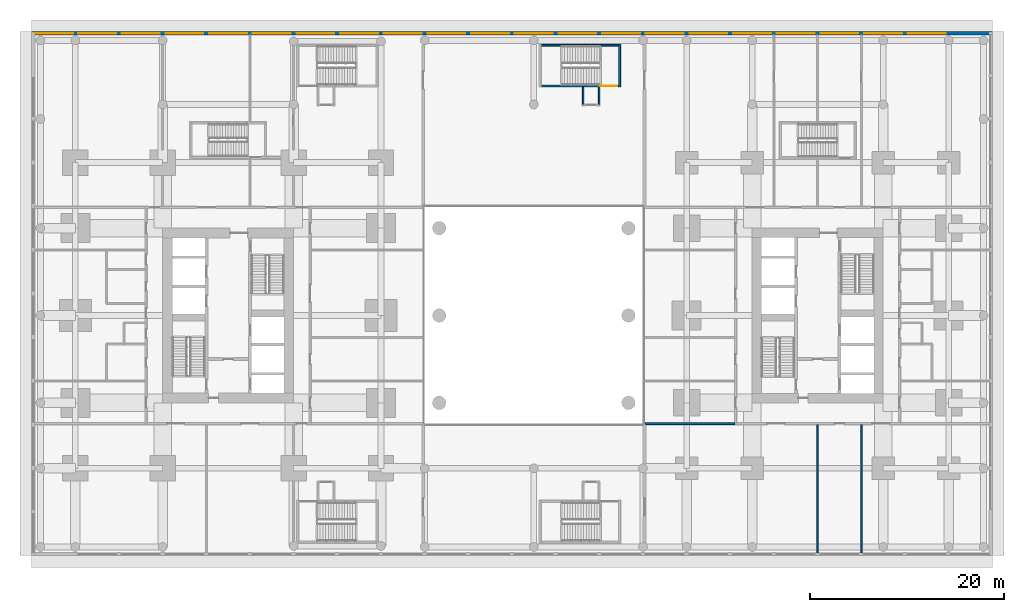
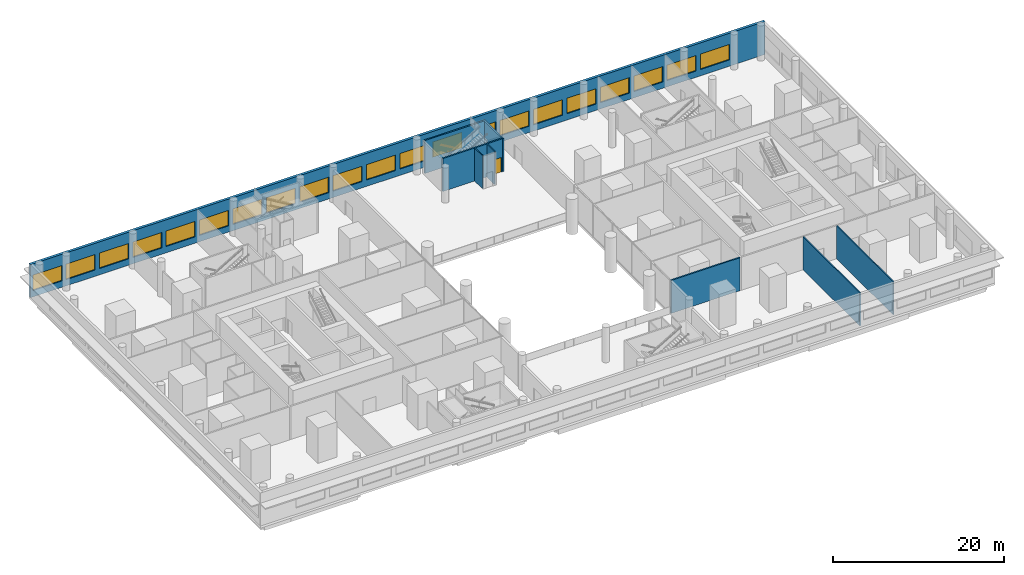
# One storey, part 14 of 22: 21 windows, 9 walls, 1 door, 22 openings.
"""IFC4 building model written with IfcOpenShell, lengths in metres."""

import ifcopenshell
import ifcopenshell.guid

model = None  # the IFC model being written
_history = None  # IfcOwnerHistory: only IFC2X3 demands one
_inside = {}  # id of a spatial element -> (the spatial element, [elements in it])
_under = {}  # id of a project, library or spatial element -> (it, [spatial elements below it])
_declared = {}  # id of a project -> (the project, [libraries it declares])
_typed = {}  # id of a type object -> (the type object, [elements of that type])
_made_of = {}  # id of a material, layer set ... -> (it, [elements and type objects made of it])


def new_model(schema):
    """Start an empty IFC model of exactly this schema.

    Asked for "IFC4X3", IfcOpenShell would pick the latest addendum, in which some entities
    have other attributes; the version numbers below select the first issue.
    IFC2X3 requires an IfcOwnerHistory on every rooted entity: one is made here for all.
    """
    global model, _history
    if schema == "IFC4X3":
        model = ifcopenshell.file(schema_version=(4, 3, 0, 0))
    else:
        model = ifcopenshell.file(schema=schema)
    _inside.clear()
    _under.clear()
    _declared.clear()
    _typed.clear()
    _made_of.clear()
    _history = None
    if model.schema == "IFC2X3":
        org = make("IfcOrganization", Name="unknown")
        user = make(
            "IfcPersonAndOrganization",
            ThePerson=make("IfcPerson", FamilyName="unknown"),
            TheOrganization=org,
        )
        app = make(
            "IfcApplication",
            ApplicationDeveloper=org,
            Version="unknown",
            ApplicationFullName="unknown",
            ApplicationIdentifier="unknown",
        )
        _history = make(
            "IfcOwnerHistory",
            OwningUser=user,
            OwningApplication=app,
            ChangeAction="ADDED",
            CreationDate=0,
        )
    return model


def make(cls, **values):
    """One entity of the class cls with the attributes given. An attribute that is None is left unset."""
    return model.create_entity(
        cls, **{name: value for name, value in values.items() if value is not None}
    )


def rooted(cls, **values):
    """An entity with a GlobalId (a new one), such as an element, a storey or a relation."""
    return make(cls, GlobalId=ifcopenshell.guid.new(), OwnerHistory=_history, **values)


def si_unit(unit_type, name, prefix=None):
    """IfcSIUnit, for example si_unit("LENGTHUNIT", "METRE", prefix="MILLI")."""
    return make("IfcSIUnit", UnitType=unit_type, Prefix=prefix, Name=name)


def assignment(units):
    """IfcUnitAssignment: the units of a project."""
    return None if units is None else make("IfcUnitAssignment", Units=units)


def point(xyz):
    """IfcCartesianPoint."""
    return None if xyz is None else make("IfcCartesianPoint", Coordinates=xyz)


def direction(xyz):
    """IfcDirection."""
    return None if xyz is None else make("IfcDirection", DirectionRatios=xyz)


def frame(location, z_axis=None, x_axis=None):
    """IfcAxis2Placement3D, a coordinate frame: its origin and axes. An axis left out is left unset."""
    return make(
        "IfcAxis2Placement3D",
        Location=point(location),
        Axis=direction(z_axis),
        RefDirection=direction(x_axis),
    )


def frame_2d(location, x_axis=None):
    """IfcAxis2Placement2D, a coordinate frame in the plane: its origin and x axis."""
    return make(
        "IfcAxis2Placement2D", Location=point(location), RefDirection=direction(x_axis)
    )


def origin():
    """The frame at (0, 0, 0) with its axes left unset."""
    return frame((0.0, 0.0, 0.0))


def place(relative_to, where):
    """IfcLocalPlacement: puts the frame where relative to a parent placement (None: the world)."""
    return make(
        "IfcLocalPlacement", PlacementRelTo=relative_to, RelativePlacement=where
    )


def context(
    kind, dimensions, precision=None, world=None, true_north=None, identifier=None
):
    """IfcGeometricRepresentationContext, for example the 3D "Model" context."""
    return make(
        "IfcGeometricRepresentationContext",
        ContextIdentifier=identifier,
        ContextType=kind,
        CoordinateSpaceDimension=dimensions,
        Precision=precision,
        WorldCoordinateSystem=world,
        TrueNorth=true_north,
    )


def subcontext(parent, identifier, kind, view, scale=None):
    """IfcGeometricRepresentationSubContext, for example "Body" below "Model"."""
    return make(
        "IfcGeometricRepresentationSubContext",
        ContextIdentifier=identifier,
        ContextType=kind,
        ParentContext=parent,
        TargetScale=scale,
        TargetView=view,
    )


def project(units=None, contexts=None):
    """IfcProject with its units and contexts."""
    return rooted(
        "IfcProject",
        Name="project",
        RepresentationContexts=contexts,
        UnitsInContext=assignment(units),
    )


def spatial(cls, under=None, at=None, **own):
    """A site, building, storey or space (cls), placed at a placement, below another one or the project."""
    s = rooted(cls, ObjectPlacement=at, **own)
    if under is not None:
        _under.setdefault(under.id(), (under, []))[1].append(s)
    return s


def profile(cls, at=None, kind="AREA", **sizes):
    """A parametric profile (cls). Its sizes go by their IFC names, for example OverallWidth=200.0."""
    return make(cls, ProfileType=kind, Position=at, **sizes)


def rectangle(**sizes):
    """IfcRectangleProfileDef."""
    return profile("IfcRectangleProfileDef", **sizes)


def extrude(swept, where, along, depth):
    """IfcExtrudedAreaSolid: the profile swept, set in the frame where, extruded along a direction by depth."""
    return make(
        "IfcExtrudedAreaSolid",
        SweptArea=swept,
        Position=where,
        ExtrudedDirection=direction(along),
        Depth=depth,
    )


def shape(context_of_items, identifier, shape_type, items):
    """IfcShapeRepresentation: the items that make up one representation, for example the "Body"."""
    return make(
        "IfcShapeRepresentation",
        ContextOfItems=context_of_items,
        RepresentationIdentifier=identifier,
        RepresentationType=shape_type,
        Items=items,
    )


def material(Name=None, Category=None):
    """IfcMaterial."""
    return make("IfcMaterial", Name=Name, Category=Category)


def layer(
    of_material, thickness, ventilated=None, Name=None, Category=None, Priority=None
):
    """IfcMaterialLayer: one layer of a wall or slab, of a material (None: an air gap)."""
    return make(
        "IfcMaterialLayer",
        Material=of_material,
        LayerThickness=thickness,
        IsVentilated=ventilated,
        Name=Name,
        Category=Category,
        Priority=Priority,
    )


def layer_set(layers, Name=None):
    """IfcMaterialLayerSet."""
    return make("IfcMaterialLayerSet", MaterialLayers=layers, LayerSetName=Name)


def made_of(thing, what):
    """Note that an element or type object is made of a material, layer set ...; save() writes the relation."""
    if what is not None:
        _made_of.setdefault(what.id(), (what, []))[1].append(thing)
    return thing


def type_object(cls, material=None, **own):
    """A type object (cls), such as IfcWallType, which elements share."""
    return made_of(rooted(cls, **own), material)


def element(
    cls,
    number,
    at=None,
    inside=None,
    cuts=None,
    type_object=None,
    material=None,
    context=None,
    identifier="Body",
    shape_type=None,
    held_by="IfcProductDefinitionShape",
    body=None,
    shapes=None,
    **own,
):
    """One element of the class cls, such as IfcWall. Its Tag is "e" and its number.

    at: its placement. inside: the storey or other place that contains it. cuts: it is an
    opening in that element (IfcRelVoidsElement). A single representation is given by context,
    identifier, shape_type and body (its items); several are given by shapes. held_by: the class
    of the entity that holds the representations. save() writes the other relations.
    """
    e = rooted(cls, Tag="e%d" % number, ObjectPlacement=at, **own)
    if body is not None:
        shapes = [shape(context, identifier, shape_type, body)]
    if shapes is not None:
        e.Representation = make(held_by, Representations=shapes)
    if inside is not None:
        _inside.setdefault(inside.id(), (inside, []))[1].append(e)
    if cuts is not None:
        rooted(
            "IfcRelVoidsElement", RelatingBuildingElement=cuts, RelatedOpeningElement=e
        )
    if type_object is not None:
        _typed.setdefault(type_object.id(), (type_object, []))[1].append(e)
    return made_of(e, material)


def fill(opening, filler):
    """IfcRelFillsElement: the door or window that sits in an opening."""
    return rooted(
        "IfcRelFillsElement",
        RelatingOpeningElement=opening,
        RelatedBuildingElement=filler,
    )


def aggregate(whole, parts):
    """IfcRelAggregates: a whole, such as a stair, and the parts it consists of."""
    return rooted("IfcRelAggregates", RelatingObject=whole, RelatedObjects=parts)


def save(model, path):
    """Write the relations noted so far, then the file.

    IfcRelAggregates (storeys below a building ...), IfcRelContainedInSpatialStructure (elements
    in a storey), IfcRelDefinesByType, IfcRelAssociatesMaterial and IfcRelDeclares: one each for
    every whole, place, type object, material and project.
    """
    for whole, parts in _under.values():
        aggregate(whole, parts)
    for where, things in _inside.values():
        rooted(
            "IfcRelContainedInSpatialStructure",
            RelatedElements=things,
            RelatingStructure=where,
        )
    for kind, things in _typed.values():
        rooted("IfcRelDefinesByType", RelatedObjects=things, RelatingType=kind)
    for what, things in _made_of.values():
        rooted("IfcRelAssociatesMaterial", RelatedObjects=things, RelatingMaterial=what)
    for by, libraries in _declared.values():
        rooted("IfcRelDeclares", RelatingContext=by, RelatedDefinitions=libraries)
    model.write(path)


model = new_model("IFC4")

# Units and contexts
model_context = context("Model", 3, precision=1e-05, world=origin(), true_north=direction((0.0, 1.0)))
body_context = subcontext(model_context, "Body", "Model", "MODEL_VIEW")
ifc_project = project(units=[si_unit("LENGTHUNIT", "METRE"), si_unit("AREAUNIT", "SQUARE_METRE"), si_unit("VOLUMEUNIT", "CUBIC_METRE"), si_unit("PLANEANGLEUNIT", "RADIAN"), si_unit("MASSUNIT", "GRAM", prefix="KILO")], contexts=[model_context])

# Site, building, storey
site_placement = place(None, origin())
site = spatial("IfcSite", under=ifc_project, at=site_placement, CompositionType="ELEMENT")
building_placement = place(site_placement, origin())
building = spatial("IfcBuilding", under=site, at=building_placement, Name="Namib Vertical Campus", CompositionType="ELEMENT")
storey_placement = place(building_placement, frame((0.0, 0.0, 11.0)))
storey = spatial("IfcBuildingStorey", under=building, at=storey_placement, Name="L02", CompositionType="ELEMENT", Elevation=11.0)

# Wall
ifc_material_1 = material(Name="Concrete masonry", Category="masonry")
ifc_layer_1 = layer(ifc_material_1, 0.199951171875)
ifc_layer_set_1 = layer_set([ifc_layer_1], Name="Corridor wall 200")
wall_type_1 = type_object("IfcWallType", Name="Corridor wall 200", PredefinedType="SOLIDWALL", material=ifc_layer_set_1)
wall_1_placement = place(storey_placement, frame((63.179931640625, 9.10009765625, 0.0), z_axis=(0.0, 0.0, 1.0), x_axis=(1.0, 0.0, 0.0)))
element("IfcWall", 1, at=wall_1_placement, inside=storey, type_object=wall_type_1, Name="Partition B L02 BSW", PredefinedType="SOLIDWALL", context=body_context, shape_type="SweptSolid", body=[
    extrude(rectangle(XDim=9.27001953125, YDim=0.199951171875, at=frame_2d((4.635009765625, 0.0))), origin(), (0.0, 0.0, 1.0), 4.699951171875),
])

# Wall, openings, windows
ifc_material_2 = material(Name="Concrete C40/50", Category="concrete")
ifc_layer_2 = layer(ifc_material_2, 0.35009765625)
ifc_layer_set_2 = layer_set([ifc_layer_2], Name="Concrete C40/50")
wall_type_2 = type_object("IfcWallType", Name="External wall 350 bush-hammered concrete", PredefinedType="STANDARD", material=ifc_layer_set_2)
wall_2_placement = place(storey_placement, frame((98.97998046875, 49.324951171875, 0.0), z_axis=(0.0, 0.0, 1.0), x_axis=(-1.0, 0.0, 0.0)))
wall_2 = element("IfcWall", 2, at=wall_2_placement, inside=storey, type_object=wall_type_2, Name="External wall L02 F3", PredefinedType="STANDARD", context=body_context, shape_type="SweptSolid", body=[
    extrude(rectangle(XDim=98.9599609375, YDim=0.35009765625, at=frame_2d((49.47998046875, 0.0))), origin(), (0.0, 0.0, 1.0), 4.699951171875),
])
opening_1_placement = place(wall_2_placement, frame((94.7099609375, 0.0, 0.89990234375)))
opening_1 = element("IfcOpeningElement", 3, at=opening_1_placement, cuts=wall_2, Name="Opening W1", PredefinedType="OPENING", context=body_context, shape_type="SweptSolid", body=[
    extrude(rectangle(XDim=3.89990234375, YDim=2.199951171875, at=frame_2d((1.949951171875, 1.10009765625))), frame((0.0, 0.18505859375, 0.0), z_axis=(0.0, -1.0, 0.0), x_axis=(1.0, 0.0, 0.0)), (0.0, 0.0, 1.0), 0.3701171875),
])
opening_2_placement = place(wall_2_placement, frame((90.280029296875, 0.0, 0.89990234375)))
opening_2 = element("IfcOpeningElement", 4, at=opening_2_placement, cuts=wall_2, Name="Opening W1", PredefinedType="OPENING", context=body_context, shape_type="SweptSolid", body=[
    extrude(rectangle(XDim=3.89990234375, YDim=2.199951171875, at=frame_2d((1.949951171875, 1.10009765625))), frame((0.0, 0.18505859375, 0.0), z_axis=(0.0, -1.0, 0.0), x_axis=(1.0, 0.0, 0.0)), (0.0, 0.0, 1.0), 0.3701171875),
])
opening_3_placement = place(wall_2_placement, frame((85.780029296875, 0.0, 0.89990234375)))
opening_3 = element("IfcOpeningElement", 5, at=opening_3_placement, cuts=wall_2, Name="Opening W1", PredefinedType="OPENING", context=body_context, shape_type="SweptSolid", body=[
    extrude(rectangle(XDim=3.89990234375, YDim=2.199951171875, at=frame_2d((1.949951171875, 1.10009765625))), frame((0.0, 0.18505859375, 0.0), z_axis=(0.0, -1.0, 0.0), x_axis=(1.0, 0.0, 0.0)), (0.0, 0.0, 1.0), 0.3701171875),
])
opening_4_placement = place(wall_2_placement, frame((81.280029296875, 0.0, 0.89990234375)))
opening_4 = element("IfcOpeningElement", 6, at=opening_4_placement, cuts=wall_2, Name="Opening W1", PredefinedType="OPENING", context=body_context, shape_type="SweptSolid", body=[
    extrude(rectangle(XDim=3.89990234375, YDim=2.199951171875, at=frame_2d((1.949951171875, 1.10009765625))), frame((0.0, 0.18505859375, 0.0), z_axis=(0.0, -1.0, 0.0), x_axis=(1.0, 0.0, 0.0)), (0.0, 0.0, 1.0), 0.3701171875),
])
opening_5_placement = place(wall_2_placement, frame((76.780029296875, 0.0, 0.89990234375)))
opening_5 = element("IfcOpeningElement", 7, at=opening_5_placement, cuts=wall_2, Name="Opening W1", PredefinedType="OPENING", context=body_context, shape_type="SweptSolid", body=[
    extrude(rectangle(XDim=3.89990234375, YDim=2.199951171875, at=frame_2d((1.949951171875, 1.10009765625))), frame((0.0, 0.18505859375, 0.0), z_axis=(0.0, -1.0, 0.0), x_axis=(1.0, 0.0, 0.0)), (0.0, 0.0, 1.0), 0.3701171875),
])
opening_6_placement = place(wall_2_placement, frame((72.280029296875, 0.0, 0.89990234375)))
opening_6 = element("IfcOpeningElement", 8, at=opening_6_placement, cuts=wall_2, Name="Opening W1", PredefinedType="OPENING", context=body_context, shape_type="SweptSolid", body=[
    extrude(rectangle(XDim=3.89990234375, YDim=2.199951171875, at=frame_2d((1.949951171875, 1.10009765625))), frame((0.0, 0.18505859375, 0.0), z_axis=(0.0, -1.0, 0.0), x_axis=(1.0, 0.0, 0.0)), (0.0, 0.0, 1.0), 0.3701171875),
])
opening_7_placement = place(wall_2_placement, frame((67.780029296875, 0.0, 0.89990234375)))
opening_7 = element("IfcOpeningElement", 9, at=opening_7_placement, cuts=wall_2, Name="Opening W1", PredefinedType="OPENING", context=body_context, shape_type="SweptSolid", body=[
    extrude(rectangle(XDim=3.89990234375, YDim=2.199951171875, at=frame_2d((1.949951171875, 1.10009765625))), frame((0.0, 0.18505859375, 0.0), z_axis=(0.0, -1.0, 0.0), x_axis=(1.0, 0.0, 0.0)), (0.0, 0.0, 1.0), 0.3701171875),
])
opening_8_placement = place(wall_2_placement, frame((63.280029296875, 0.0, 0.89990234375)))
opening_8 = element("IfcOpeningElement", 10, at=opening_8_placement, cuts=wall_2, Name="Opening W1", PredefinedType="OPENING", context=body_context, shape_type="SweptSolid", body=[
    extrude(rectangle(XDim=3.89990234375, YDim=2.199951171875, at=frame_2d((1.949951171875, 1.10009765625))), frame((0.0, 0.18505859375, 0.0), z_axis=(0.0, -1.0, 0.0), x_axis=(1.0, 0.0, 0.0)), (0.0, 0.0, 1.0), 0.3701171875),
])
opening_9_placement = place(wall_2_placement, frame((58.780029296875, 0.0, 0.89990234375)))
opening_9 = element("IfcOpeningElement", 11, at=opening_9_placement, cuts=wall_2, Name="Opening W1", PredefinedType="OPENING", context=body_context, shape_type="SweptSolid", body=[
    extrude(rectangle(XDim=3.89990234375, YDim=2.199951171875, at=frame_2d((1.949951171875, 1.10009765625))), frame((0.0, 0.18505859375, 0.0), z_axis=(0.0, -1.0, 0.0), x_axis=(1.0, 0.0, 0.0)), (0.0, 0.0, 1.0), 0.3701171875),
])
opening_10_placement = place(wall_2_placement, frame((54.280029296875, 0.0, 0.89990234375)))
opening_10 = element("IfcOpeningElement", 12, at=opening_10_placement, cuts=wall_2, Name="Opening W1", PredefinedType="OPENING", context=body_context, shape_type="SweptSolid", body=[
    extrude(rectangle(XDim=3.89990234375, YDim=2.199951171875, at=frame_2d((1.949951171875, 1.10009765625))), frame((0.0, 0.18505859375, 0.0), z_axis=(0.0, -1.0, 0.0), x_axis=(1.0, 0.0, 0.0)), (0.0, 0.0, 1.0), 0.3701171875),
])
opening_11_placement = place(wall_2_placement, frame((49.780029296875, 0.0, 0.89990234375)))
opening_11 = element("IfcOpeningElement", 13, at=opening_11_placement, cuts=wall_2, Name="Opening W1", PredefinedType="OPENING", context=body_context, shape_type="SweptSolid", body=[
    extrude(rectangle(XDim=3.89990234375, YDim=2.199951171875, at=frame_2d((1.949951171875, 1.10009765625))), frame((0.0, 0.18505859375, 0.0), z_axis=(0.0, -1.0, 0.0), x_axis=(1.0, 0.0, 0.0)), (0.0, 0.0, 1.0), 0.3701171875),
])
opening_12_placement = place(wall_2_placement, frame((45.280029296875, 0.0, 0.89990234375)))
opening_12 = element("IfcOpeningElement", 14, at=opening_12_placement, cuts=wall_2, Name="Opening W1", PredefinedType="OPENING", context=body_context, shape_type="SweptSolid", body=[
    extrude(rectangle(XDim=3.89990234375, YDim=2.199951171875, at=frame_2d((1.949951171875, 1.10009765625))), frame((0.0, 0.18505859375, 0.0), z_axis=(0.0, -1.0, 0.0), x_axis=(1.0, 0.0, 0.0)), (0.0, 0.0, 1.0), 0.3701171875),
])
opening_13_placement = place(wall_2_placement, frame((40.780029296875, 0.0, 0.89990234375)))
opening_13 = element("IfcOpeningElement", 15, at=opening_13_placement, cuts=wall_2, Name="Opening W1", PredefinedType="OPENING", context=body_context, shape_type="SweptSolid", body=[
    extrude(rectangle(XDim=3.89990234375, YDim=2.199951171875, at=frame_2d((1.949951171875, 1.10009765625))), frame((0.0, 0.18505859375, 0.0), z_axis=(0.0, -1.0, 0.0), x_axis=(1.0, 0.0, 0.0)), (0.0, 0.0, 1.0), 0.3701171875),
])
opening_14_placement = place(wall_2_placement, frame((36.280029296875, 0.0, 0.89990234375)))
opening_14 = element("IfcOpeningElement", 16, at=opening_14_placement, cuts=wall_2, Name="Opening W1", PredefinedType="OPENING", context=body_context, shape_type="SweptSolid", body=[
    extrude(rectangle(XDim=3.89990234375, YDim=2.199951171875, at=frame_2d((1.949951171875, 1.10009765625))), frame((0.0, 0.18505859375, 0.0), z_axis=(0.0, -1.0, 0.0), x_axis=(1.0, 0.0, 0.0)), (0.0, 0.0, 1.0), 0.3701171875),
])
opening_15_placement = place(wall_2_placement, frame((31.780029296875, 0.0, 0.89990234375)))
opening_15 = element("IfcOpeningElement", 17, at=opening_15_placement, cuts=wall_2, Name="Opening W1", PredefinedType="OPENING", context=body_context, shape_type="SweptSolid", body=[
    extrude(rectangle(XDim=3.89990234375, YDim=2.199951171875, at=frame_2d((1.949951171875, 1.10009765625))), frame((0.0, 0.18505859375, 0.0), z_axis=(0.0, -1.0, 0.0), x_axis=(1.0, 0.0, 0.0)), (0.0, 0.0, 1.0), 0.3701171875),
])
opening_16_placement = place(wall_2_placement, frame((27.280029296875, 0.0, 0.89990234375)))
opening_16 = element("IfcOpeningElement", 18, at=opening_16_placement, cuts=wall_2, Name="Opening W1", PredefinedType="OPENING", context=body_context, shape_type="SweptSolid", body=[
    extrude(rectangle(XDim=3.89990234375, YDim=2.199951171875, at=frame_2d((1.949951171875, 1.10009765625))), frame((0.0, 0.18505859375, 0.0), z_axis=(0.0, -1.0, 0.0), x_axis=(1.0, 0.0, 0.0)), (0.0, 0.0, 1.0), 0.3701171875),
])
opening_17_placement = place(wall_2_placement, frame((22.780029296875, 0.0, 0.89990234375)))
opening_17 = element("IfcOpeningElement", 19, at=opening_17_placement, cuts=wall_2, Name="Opening W1", PredefinedType="OPENING", context=body_context, shape_type="SweptSolid", body=[
    extrude(rectangle(XDim=3.89990234375, YDim=2.199951171875, at=frame_2d((1.949951171875, 1.10009765625))), frame((0.0, 0.18505859375, 0.0), z_axis=(0.0, -1.0, 0.0), x_axis=(1.0, 0.0, 0.0)), (0.0, 0.0, 1.0), 0.3701171875),
])
opening_18_placement = place(wall_2_placement, frame((18.280029296875, 0.0, 0.89990234375)))
opening_18 = element("IfcOpeningElement", 20, at=opening_18_placement, cuts=wall_2, Name="Opening W1", PredefinedType="OPENING", context=body_context, shape_type="SweptSolid", body=[
    extrude(rectangle(XDim=3.89990234375, YDim=2.199951171875, at=frame_2d((1.949951171875, 1.10009765625))), frame((0.0, 0.18505859375, 0.0), z_axis=(0.0, -1.0, 0.0), x_axis=(1.0, 0.0, 0.0)), (0.0, 0.0, 1.0), 0.3701171875),
])
opening_19_placement = place(wall_2_placement, frame((13.780029296875, 0.0, 0.89990234375)))
opening_19 = element("IfcOpeningElement", 21, at=opening_19_placement, cuts=wall_2, Name="Opening W1", PredefinedType="OPENING", context=body_context, shape_type="SweptSolid", body=[
    extrude(rectangle(XDim=3.89990234375, YDim=2.199951171875, at=frame_2d((1.949951171875, 1.10009765625))), frame((0.0, 0.18505859375, 0.0), z_axis=(0.0, -1.0, 0.0), x_axis=(1.0, 0.0, 0.0)), (0.0, 0.0, 1.0), 0.3701171875),
])
opening_20_placement = place(wall_2_placement, frame((9.280029296875, 0.0, 0.89990234375)))
opening_20 = element("IfcOpeningElement", 22, at=opening_20_placement, cuts=wall_2, Name="Opening W1", PredefinedType="OPENING", context=body_context, shape_type="SweptSolid", body=[
    extrude(rectangle(XDim=3.89990234375, YDim=2.199951171875, at=frame_2d((1.949951171875, 1.10009765625))), frame((0.0, 0.18505859375, 0.0), z_axis=(0.0, -1.0, 0.0), x_axis=(1.0, 0.0, 0.0)), (0.0, 0.0, 1.0), 0.3701171875),
])
opening_21_placement = place(wall_2_placement, frame((4.780029296875, 0.0, 0.89990234375)))
opening_21 = element("IfcOpeningElement", 23, at=opening_21_placement, cuts=wall_2, Name="Opening W1", PredefinedType="OPENING", context=body_context, shape_type="SweptSolid", body=[
    extrude(rectangle(XDim=3.89990234375, YDim=2.199951171875, at=frame_2d((1.949951171875, 1.10009765625))), frame((0.0, 0.18505859375, 0.0), z_axis=(0.0, -1.0, 0.0), x_axis=(1.0, 0.0, 0.0)), (0.0, 0.0, 1.0), 0.3701171875),
])
ifc_material_3 = material(Name="Dark tinted glass in black aluminium frame", Category="aluminium")
window_type = type_object("IfcWindowType", Name="Ribbon window 3900x2200", PartitioningType="SINGLE_PANEL", PredefinedType="WINDOW", material=ifc_material_3)
window_1_placement = place(opening_1_placement, origin())
window_1 = element("IfcWindow", 24, at=window_1_placement, inside=storey, type_object=window_type, Name="Window W1 L02 F3-1", OverallHeight=2.199951171875, OverallWidth=3.89990234375, PartitioningType="SINGLE_PANEL", PredefinedType="WINDOW", context=body_context, shape_type="SweptSolid", body=[
    extrude(rectangle(XDim=3.89990234375, YDim=2.199951171875, at=frame_2d((1.949951171875, 1.10009765625))), frame((0.0, 0.030029296875, 0.0), z_axis=(0.0, -1.0, 0.0), x_axis=(1.0, 0.0, 0.0)), (0.0, 0.0, 1.0), 0.06005859375),
])
fill(opening_1, window_1)
window_2_placement = place(opening_2_placement, origin())
window_2 = element("IfcWindow", 25, at=window_2_placement, inside=storey, type_object=window_type, Name="Window W1 L02 F3-2", OverallHeight=2.199951171875, OverallWidth=3.89990234375, PartitioningType="SINGLE_PANEL", PredefinedType="WINDOW", context=body_context, shape_type="SweptSolid", body=[
    extrude(rectangle(XDim=3.89990234375, YDim=2.199951171875, at=frame_2d((1.949951171875, 1.10009765625))), frame((0.0, 0.030029296875, 0.0), z_axis=(0.0, -1.0, 0.0), x_axis=(1.0, 0.0, 0.0)), (0.0, 0.0, 1.0), 0.06005859375),
])
fill(opening_2, window_2)
window_3_placement = place(opening_3_placement, origin())
window_3 = element("IfcWindow", 26, at=window_3_placement, inside=storey, type_object=window_type, Name="Window W1 L02 F3-3", OverallHeight=2.199951171875, OverallWidth=3.89990234375, PartitioningType="SINGLE_PANEL", PredefinedType="WINDOW", context=body_context, shape_type="SweptSolid", body=[
    extrude(rectangle(XDim=3.89990234375, YDim=2.199951171875, at=frame_2d((1.949951171875, 1.10009765625))), frame((0.0, 0.030029296875, 0.0), z_axis=(0.0, -1.0, 0.0), x_axis=(1.0, 0.0, 0.0)), (0.0, 0.0, 1.0), 0.06005859375),
])
fill(opening_3, window_3)
window_4_placement = place(opening_4_placement, origin())
window_4 = element("IfcWindow", 27, at=window_4_placement, inside=storey, type_object=window_type, Name="Window W1 L02 F3-4", OverallHeight=2.199951171875, OverallWidth=3.89990234375, PartitioningType="SINGLE_PANEL", PredefinedType="WINDOW", context=body_context, shape_type="SweptSolid", body=[
    extrude(rectangle(XDim=3.89990234375, YDim=2.199951171875, at=frame_2d((1.949951171875, 1.10009765625))), frame((0.0, 0.030029296875, 0.0), z_axis=(0.0, -1.0, 0.0), x_axis=(1.0, 0.0, 0.0)), (0.0, 0.0, 1.0), 0.06005859375),
])
fill(opening_4, window_4)
window_5_placement = place(opening_5_placement, origin())
window_5 = element("IfcWindow", 28, at=window_5_placement, inside=storey, type_object=window_type, Name="Window W1 L02 F3-5", OverallHeight=2.199951171875, OverallWidth=3.89990234375, PartitioningType="SINGLE_PANEL", PredefinedType="WINDOW", context=body_context, shape_type="SweptSolid", body=[
    extrude(rectangle(XDim=3.89990234375, YDim=2.199951171875, at=frame_2d((1.949951171875, 1.10009765625))), frame((0.0, 0.030029296875, 0.0), z_axis=(0.0, -1.0, 0.0), x_axis=(1.0, 0.0, 0.0)), (0.0, 0.0, 1.0), 0.06005859375),
])
fill(opening_5, window_5)
window_6_placement = place(opening_6_placement, origin())
window_6 = element("IfcWindow", 29, at=window_6_placement, inside=storey, type_object=window_type, Name="Window W1 L02 F3-6", OverallHeight=2.199951171875, OverallWidth=3.89990234375, PartitioningType="SINGLE_PANEL", PredefinedType="WINDOW", context=body_context, shape_type="SweptSolid", body=[
    extrude(rectangle(XDim=3.89990234375, YDim=2.199951171875, at=frame_2d((1.949951171875, 1.10009765625))), frame((0.0, 0.030029296875, 0.0), z_axis=(0.0, -1.0, 0.0), x_axis=(1.0, 0.0, 0.0)), (0.0, 0.0, 1.0), 0.06005859375),
])
fill(opening_6, window_6)
window_7_placement = place(opening_7_placement, origin())
window_7 = element("IfcWindow", 30, at=window_7_placement, inside=storey, type_object=window_type, Name="Window W1 L02 F3-7", OverallHeight=2.199951171875, OverallWidth=3.89990234375, PartitioningType="SINGLE_PANEL", PredefinedType="WINDOW", context=body_context, shape_type="SweptSolid", body=[
    extrude(rectangle(XDim=3.89990234375, YDim=2.199951171875, at=frame_2d((1.949951171875, 1.10009765625))), frame((0.0, 0.030029296875, 0.0), z_axis=(0.0, -1.0, 0.0), x_axis=(1.0, 0.0, 0.0)), (0.0, 0.0, 1.0), 0.06005859375),
])
fill(opening_7, window_7)
window_8_placement = place(opening_8_placement, origin())
window_8 = element("IfcWindow", 31, at=window_8_placement, inside=storey, type_object=window_type, Name="Window W1 L02 F3-8", OverallHeight=2.199951171875, OverallWidth=3.89990234375, PartitioningType="SINGLE_PANEL", PredefinedType="WINDOW", context=body_context, shape_type="SweptSolid", body=[
    extrude(rectangle(XDim=3.89990234375, YDim=2.199951171875, at=frame_2d((1.949951171875, 1.10009765625))), frame((0.0, 0.030029296875, 0.0), z_axis=(0.0, -1.0, 0.0), x_axis=(1.0, 0.0, 0.0)), (0.0, 0.0, 1.0), 0.06005859375),
])
fill(opening_8, window_8)
window_9_placement = place(opening_9_placement, origin())
window_9 = element("IfcWindow", 32, at=window_9_placement, inside=storey, type_object=window_type, Name="Window W1 L02 F3-9", OverallHeight=2.199951171875, OverallWidth=3.89990234375, PartitioningType="SINGLE_PANEL", PredefinedType="WINDOW", context=body_context, shape_type="SweptSolid", body=[
    extrude(rectangle(XDim=3.89990234375, YDim=2.199951171875, at=frame_2d((1.949951171875, 1.10009765625))), frame((0.0, 0.030029296875, 0.0), z_axis=(0.0, -1.0, 0.0), x_axis=(1.0, 0.0, 0.0)), (0.0, 0.0, 1.0), 0.06005859375),
])
fill(opening_9, window_9)
window_10_placement = place(opening_10_placement, origin())
window_10 = element("IfcWindow", 33, at=window_10_placement, inside=storey, type_object=window_type, Name="Window W1 L02 F3-10", OverallHeight=2.199951171875, OverallWidth=3.89990234375, PartitioningType="SINGLE_PANEL", PredefinedType="WINDOW", context=body_context, shape_type="SweptSolid", body=[
    extrude(rectangle(XDim=3.89990234375, YDim=2.199951171875, at=frame_2d((1.949951171875, 1.10009765625))), frame((0.0, 0.030029296875, 0.0), z_axis=(0.0, -1.0, 0.0), x_axis=(1.0, 0.0, 0.0)), (0.0, 0.0, 1.0), 0.06005859375),
])
fill(opening_10, window_10)
window_11_placement = place(opening_11_placement, origin())
window_11 = element("IfcWindow", 34, at=window_11_placement, inside=storey, type_object=window_type, Name="Window W1 L02 F3-11", OverallHeight=2.199951171875, OverallWidth=3.89990234375, PartitioningType="SINGLE_PANEL", PredefinedType="WINDOW", context=body_context, shape_type="SweptSolid", body=[
    extrude(rectangle(XDim=3.89990234375, YDim=2.199951171875, at=frame_2d((1.949951171875, 1.10009765625))), frame((0.0, 0.030029296875, 0.0), z_axis=(0.0, -1.0, 0.0), x_axis=(1.0, 0.0, 0.0)), (0.0, 0.0, 1.0), 0.06005859375),
])
fill(opening_11, window_11)
window_12_placement = place(opening_12_placement, origin())
window_12 = element("IfcWindow", 35, at=window_12_placement, inside=storey, type_object=window_type, Name="Window W1 L02 F3-12", OverallHeight=2.199951171875, OverallWidth=3.89990234375, PartitioningType="SINGLE_PANEL", PredefinedType="WINDOW", context=body_context, shape_type="SweptSolid", body=[
    extrude(rectangle(XDim=3.89990234375, YDim=2.199951171875, at=frame_2d((1.949951171875, 1.10009765625))), frame((0.0, 0.030029296875, 0.0), z_axis=(0.0, -1.0, 0.0), x_axis=(1.0, 0.0, 0.0)), (0.0, 0.0, 1.0), 0.06005859375),
])
fill(opening_12, window_12)
window_13_placement = place(opening_13_placement, origin())
window_13 = element("IfcWindow", 36, at=window_13_placement, inside=storey, type_object=window_type, Name="Window W1 L02 F3-13", OverallHeight=2.199951171875, OverallWidth=3.89990234375, PartitioningType="SINGLE_PANEL", PredefinedType="WINDOW", context=body_context, shape_type="SweptSolid", body=[
    extrude(rectangle(XDim=3.89990234375, YDim=2.199951171875, at=frame_2d((1.949951171875, 1.10009765625))), frame((0.0, 0.030029296875, 0.0), z_axis=(0.0, -1.0, 0.0), x_axis=(1.0, 0.0, 0.0)), (0.0, 0.0, 1.0), 0.06005859375),
])
fill(opening_13, window_13)
window_14_placement = place(opening_14_placement, origin())
window_14 = element("IfcWindow", 37, at=window_14_placement, inside=storey, type_object=window_type, Name="Window W1 L02 F3-14", OverallHeight=2.199951171875, OverallWidth=3.89990234375, PartitioningType="SINGLE_PANEL", PredefinedType="WINDOW", context=body_context, shape_type="SweptSolid", body=[
    extrude(rectangle(XDim=3.89990234375, YDim=2.199951171875, at=frame_2d((1.949951171875, 1.10009765625))), frame((0.0, 0.030029296875, 0.0), z_axis=(0.0, -1.0, 0.0), x_axis=(1.0, 0.0, 0.0)), (0.0, 0.0, 1.0), 0.06005859375),
])
fill(opening_14, window_14)
window_15_placement = place(opening_15_placement, origin())
window_15 = element("IfcWindow", 38, at=window_15_placement, inside=storey, type_object=window_type, Name="Window W1 L02 F3-15", OverallHeight=2.199951171875, OverallWidth=3.89990234375, PartitioningType="SINGLE_PANEL", PredefinedType="WINDOW", context=body_context, shape_type="SweptSolid", body=[
    extrude(rectangle(XDim=3.89990234375, YDim=2.199951171875, at=frame_2d((1.949951171875, 1.10009765625))), frame((0.0, 0.030029296875, 0.0), z_axis=(0.0, -1.0, 0.0), x_axis=(1.0, 0.0, 0.0)), (0.0, 0.0, 1.0), 0.06005859375),
])
fill(opening_15, window_15)
window_16_placement = place(opening_16_placement, origin())
window_16 = element("IfcWindow", 39, at=window_16_placement, inside=storey, type_object=window_type, Name="Window W1 L02 F3-16", OverallHeight=2.199951171875, OverallWidth=3.89990234375, PartitioningType="SINGLE_PANEL", PredefinedType="WINDOW", context=body_context, shape_type="SweptSolid", body=[
    extrude(rectangle(XDim=3.89990234375, YDim=2.199951171875, at=frame_2d((1.949951171875, 1.10009765625))), frame((0.0, 0.030029296875, 0.0), z_axis=(0.0, -1.0, 0.0), x_axis=(1.0, 0.0, 0.0)), (0.0, 0.0, 1.0), 0.06005859375),
])
fill(opening_16, window_16)
window_17_placement = place(opening_17_placement, origin())
window_17 = element("IfcWindow", 40, at=window_17_placement, inside=storey, type_object=window_type, Name="Window W1 L02 F3-17", OverallHeight=2.199951171875, OverallWidth=3.89990234375, PartitioningType="SINGLE_PANEL", PredefinedType="WINDOW", context=body_context, shape_type="SweptSolid", body=[
    extrude(rectangle(XDim=3.89990234375, YDim=2.199951171875, at=frame_2d((1.949951171875, 1.10009765625))), frame((0.0, 0.030029296875, 0.0), z_axis=(0.0, -1.0, 0.0), x_axis=(1.0, 0.0, 0.0)), (0.0, 0.0, 1.0), 0.06005859375),
])
fill(opening_17, window_17)
window_18_placement = place(opening_18_placement, origin())
window_18 = element("IfcWindow", 41, at=window_18_placement, inside=storey, type_object=window_type, Name="Window W1 L02 F3-18", OverallHeight=2.199951171875, OverallWidth=3.89990234375, PartitioningType="SINGLE_PANEL", PredefinedType="WINDOW", context=body_context, shape_type="SweptSolid", body=[
    extrude(rectangle(XDim=3.89990234375, YDim=2.199951171875, at=frame_2d((1.949951171875, 1.10009765625))), frame((0.0, 0.030029296875, 0.0), z_axis=(0.0, -1.0, 0.0), x_axis=(1.0, 0.0, 0.0)), (0.0, 0.0, 1.0), 0.06005859375),
])
fill(opening_18, window_18)
window_19_placement = place(opening_19_placement, origin())
window_19 = element("IfcWindow", 42, at=window_19_placement, inside=storey, type_object=window_type, Name="Window W1 L02 F3-19", OverallHeight=2.199951171875, OverallWidth=3.89990234375, PartitioningType="SINGLE_PANEL", PredefinedType="WINDOW", context=body_context, shape_type="SweptSolid", body=[
    extrude(rectangle(XDim=3.89990234375, YDim=2.199951171875, at=frame_2d((1.949951171875, 1.10009765625))), frame((0.0, 0.030029296875, 0.0), z_axis=(0.0, -1.0, 0.0), x_axis=(1.0, 0.0, 0.0)), (0.0, 0.0, 1.0), 0.06005859375),
])
fill(opening_19, window_19)
window_20_placement = place(opening_20_placement, origin())
window_20 = element("IfcWindow", 43, at=window_20_placement, inside=storey, type_object=window_type, Name="Window W1 L02 F3-20", OverallHeight=2.199951171875, OverallWidth=3.89990234375, PartitioningType="SINGLE_PANEL", PredefinedType="WINDOW", context=body_context, shape_type="SweptSolid", body=[
    extrude(rectangle(XDim=3.89990234375, YDim=2.199951171875, at=frame_2d((1.949951171875, 1.10009765625))), frame((0.0, 0.030029296875, 0.0), z_axis=(0.0, -1.0, 0.0), x_axis=(1.0, 0.0, 0.0)), (0.0, 0.0, 1.0), 0.06005859375),
])
fill(opening_20, window_20)
window_21_placement = place(opening_21_placement, origin())
window_21 = element("IfcWindow", 44, at=window_21_placement, inside=storey, type_object=window_type, Name="Window W1 L02 F3-21", OverallHeight=2.199951171875, OverallWidth=3.89990234375, PartitioningType="SINGLE_PANEL", PredefinedType="WINDOW", context=body_context, shape_type="SweptSolid", body=[
    extrude(rectangle(XDim=3.89990234375, YDim=2.199951171875, at=frame_2d((1.949951171875, 1.10009765625))), frame((0.0, 0.030029296875, 0.0), z_axis=(0.0, -1.0, 0.0), x_axis=(1.0, 0.0, 0.0)), (0.0, 0.0, 1.0), 0.06005859375),
])
fill(opening_21, window_21)

# Walls
ifc_material_4 = material(Name="Gypsum board on steel studs", Category="steel")
ifc_layer_3 = layer(ifc_material_4, 0.14990234375)
ifc_layer_set_3 = layer_set([ifc_layer_3], Name="Gypsum board on steel studs")
wall_type_3 = type_object("IfcWallType", Name="Partition 150", PredefinedType="PARTITIONING", material=ifc_layer_set_3)
for number, where, z_axis, x_axis, name in (
    (45, (81.0, -4.199951171875, 0.0), (0.0, 0.0, 1.0), (0.0, 1.0, 0.0), "Partition B L02 PS1"),
    (46, (85.5, -4.199951171875, 0.0), (0.0, 0.0, 1.0), (0.0, 1.0, 0.0), "Partition B L02 PS2"),
):
    element("IfcWall", number, at=place(storey_placement, frame(where, z_axis=z_axis, x_axis=x_axis)), inside=storey, type_object=wall_type_3, Name=name, PredefinedType="PARTITIONING", context=body_context, shape_type="SweptSolid", body=[
        extrude(rectangle(XDim=13.199951171875, YDim=0.14990234375, at=frame_2d((6.60009765625, 0.0))), origin(), (0.0, 0.0, 1.0), 4.699951171875),
    ])
for number, where, z_axis, x_axis, name in (
    (47, (58.47509765625, 42.0, 0.0), (0.0, 0.0, 1.0), (0.0, 1.0, 0.0), "Refuge cell partition P-S3 L02"),
    (48, (56.824951171875, 42.0, 0.0), (0.0, 0.0, 1.0), (0.0, 1.0, 0.0), "Refuge cell partition P-S3 L02"),
):
    element("IfcWall", number, at=place(storey_placement, frame(where, z_axis=z_axis, x_axis=x_axis)), inside=storey, type_object=wall_type_3, Name=name, PredefinedType="PARTITIONING", context=body_context, shape_type="SweptSolid", body=[
        extrude(rectangle(XDim=1.800048828125, YDim=0.14990234375, at=frame_2d((0.89990234375, 0.0))), origin(), (0.0, 0.0, 1.0), 4.699951171875),
    ])

# Wall, opening, door
ifc_material_5 = material(Name="Concrete C40/50", Category="concrete")
ifc_layer_4 = layer(ifc_material_5, 0.199951171875)
ifc_layer_set_4 = layer_set([ifc_layer_4], Name="Concrete C40/50")
wall_type_4 = type_object("IfcWallType", Name="Stair enclosure wall RC 200", PredefinedType="SOLIDWALL", material=ifc_layer_set_4)
wall_3_placement = place(storey_placement, frame((52.5, 43.89990234375, 0.0), z_axis=(0.0, 0.0, 1.0), x_axis=(1.0, 0.0, 0.0)))
wall_3 = element("IfcWall", 49, at=wall_3_placement, inside=storey, type_object=wall_type_4, Name="Stair enclosure wall P-S3 L02 room side", PredefinedType="SOLIDWALL", context=body_context, shape_type="SweptSolid", body=[
    extrude(rectangle(XDim=8.0, YDim=0.199951171875, at=frame_2d((4.0, 0.0))), origin(), (0.0, 0.0, 1.0), 4.699951171875),
])
opening_22_placement = place(wall_3_placement, frame((6.050048828125, 0.0, 0.0)))
opening_22 = element("IfcOpeningElement", 50, at=opening_22_placement, cuts=wall_3, Name="Opening FD2", PredefinedType="OPENING", context=body_context, shape_type="SweptSolid", body=[
    extrude(rectangle(XDim=1.800048828125, YDim=2.10009765625, at=frame_2d((0.89990234375, 1.050048828125))), frame((0.0, 0.10986328125, 0.0), z_axis=(0.0, -1.0, 0.0), x_axis=(1.0, 0.0, 0.0)), (0.0, 0.0, 1.0), 0.219970703125),
])
ifc_material_6 = material(Name="Steel fire door", Category="steel")
door_type = type_object("IfcDoorType", Name="Fire door double 1800x2100", OperationType="DOUBLE_DOOR_SINGLE_SWING", PredefinedType="DOOR", material=ifc_material_6)
door_placement = place(opening_22_placement, origin())
door = element("IfcDoor", 51, at=door_placement, inside=storey, type_object=door_type, Name="Stair door FD2 P-S3 L02", OperationType="DOUBLE_DOOR_SINGLE_SWING", OverallHeight=2.10009765625, OverallWidth=1.800048828125, PredefinedType="DOOR", context=body_context, shape_type="SweptSolid", body=[
    extrude(rectangle(XDim=1.800048828125, YDim=2.10009765625, at=frame_2d((0.89990234375, 1.050048828125))), frame((0.0, 0.02490234375, 0.0), z_axis=(0.0, -1.0, 0.0), x_axis=(1.0, 0.0, 0.0)), (0.0, 0.0, 1.0), 0.050048828125),
])
fill(opening_22, door)

# Walls
wall_4_placement = place(storey_placement, frame((52.5, 48.10009765625, 0.0), z_axis=(0.0, 0.0, 1.0), x_axis=(1.0, 0.0, 0.0)))
element("IfcWall", 52, at=wall_4_placement, inside=storey, type_object=wall_type_4, Name="Stair enclosure wall P-S3 L02 facade side", PredefinedType="SOLIDWALL", context=body_context, shape_type="SweptSolid", body=[
    extrude(rectangle(XDim=8.0, YDim=0.199951171875, at=frame_2d((4.0, 0.0))), origin(), (0.0, 0.0, 1.0), 4.699951171875),
])
wall_5_placement = place(storey_placement, frame((60.60009765625, 43.800048828125, 0.0), z_axis=(0.0, 0.0, 1.0), x_axis=(0.0, 1.0, 0.0)))
element("IfcWall", 53, at=wall_5_placement, inside=storey, type_object=wall_type_4, Name="Stair enclosure wall P-S3 L02 E", PredefinedType="SOLIDWALL", context=body_context, shape_type="SweptSolid", body=[
    extrude(rectangle(XDim=4.39990234375, YDim=0.199951171875, at=frame_2d((2.199951171875, 0.0))), origin(), (0.0, 0.0, 1.0), 4.699951171875),
])

save(model, "model.ifc")
